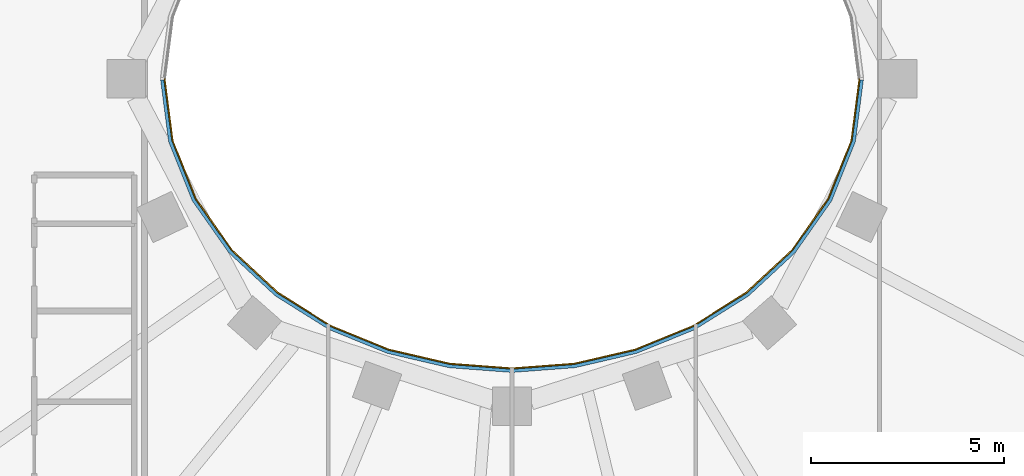
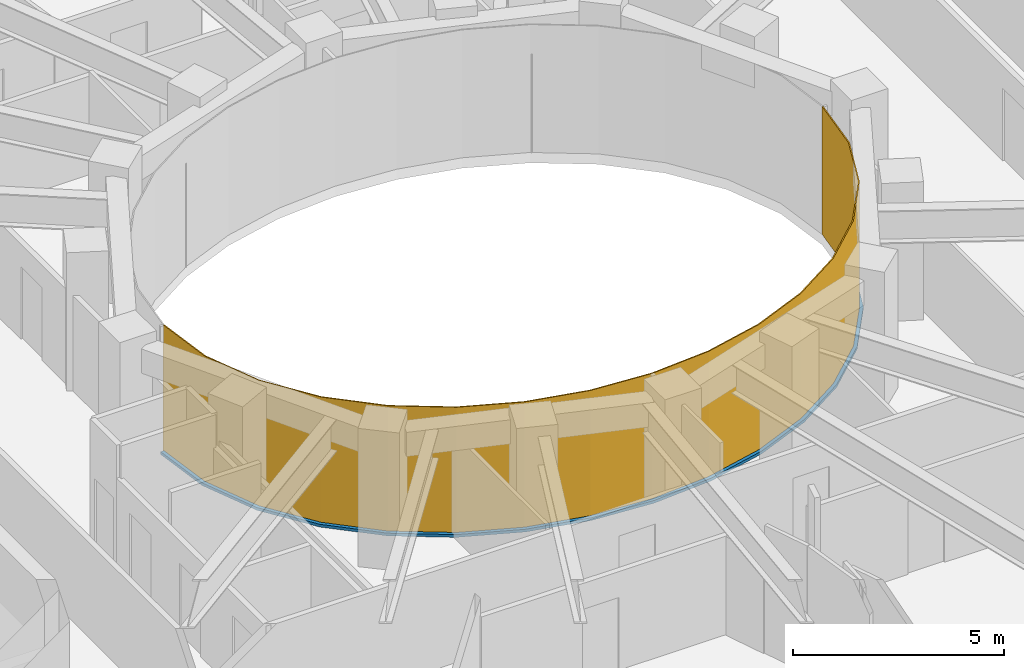
# One storey, part 10 of 16: 1 curtain wall, 1 member.
"""IFC4 building model written with IfcOpenShell, lengths in metres."""

from ifc_helpers import new_model, si_unit, direction, frame, origin, place, context, subcontext, project, spatial, polyline, outline, extrude, material, layer, layer_set, type_object, element, aggregate, save


model = new_model("IFC4")

# Units and contexts
model_context = context("Model", 3, precision=1e-05, world=origin(), true_north=direction((0.0, 1.0)))
body_context = subcontext(model_context, "Body", "Model", "MODEL_VIEW")
ifc_project = project(units=[si_unit("LENGTHUNIT", "METRE"), si_unit("AREAUNIT", "SQUARE_METRE"), si_unit("VOLUMEUNIT", "CUBIC_METRE"), si_unit("PLANEANGLEUNIT", "RADIAN"), si_unit("MASSUNIT", "GRAM", prefix="KILO")], contexts=[model_context])

# Member
ifc_material_1 = material(Name="Steel S355 fire-resisting frame", Category="steel")
member_type = type_object("IfcMemberType", Name="ENV-TRANSOM-W", PredefinedType="USERDEFINED", material=ifc_material_1)
site_placement = place(None, origin())
building_placement = place(site_placement, origin())
storey_placement = place(building_placement, frame((0.0, 0.0, 237.5)))
member_placement = place(storey_placement, origin())
member = element("IfcMember", 1, at=member_placement, type_object=member_type, Name="Transom W well 17-01", ObjectType="TRANSOM", PredefinedType="USERDEFINED", context=body_context, shape_type="SweptSolid", body=[
    extrude(outline(polyline([(-9.119384765625, -0.02783203125), (-8.910400390625, -1.63623046875), (-8.29833984375, -3.167236328125), (-7.35107421875, -4.5146484375), (-6.1455078125, -5.6337890625), (-4.75341796875, -6.50634765625), (-3.233642578125, -7.127685546875), (-1.635498046875, -7.498779296875), (0.0, -7.622314453125), (1.635498046875, -7.498779296875), (3.233642578125, -7.127685546875), (4.75341796875, -6.50634765625), (6.1455078125, -5.6337890625), (7.35107421875, -4.5146484375), (8.29833984375, -3.167236328125), (8.910400390625, -1.63623046875), (9.119384765625, -0.02783203125), (9.02880859375, -0.02783203125), (8.822509765625, -1.61328125), (8.21875, -3.124267578125), (7.282958984375, -4.455078125), (6.090576171875, -5.56201171875), (4.712158203125, -6.426025390625), (3.206298828125, -7.04150390625), (1.621826171875, -7.40966796875), (0.0, -7.531982421875), (-1.621826171875, -7.40966796875), (-3.206298828125, -7.04150390625), (-4.712158203125, -6.426025390625), (-6.090576171875, -5.56201171875), (-7.282958984375, -4.455078125), (-8.21875, -3.124267578125), (-8.822509765625, -1.61328125), (-9.02880859375, -0.02783203125), (-9.119384765625, -0.02783203125)])), origin(), (0.0, 0.0, 1.0), 0.080078125),
])

# Site, building, storey
site = spatial("IfcSite", under=ifc_project, at=site_placement, CompositionType="ELEMENT")
building = spatial("IfcBuilding", under=site, at=building_placement, Name="Noorbagh Ring Tower", CompositionType="ELEMENT")
storey = spatial("IfcBuildingStorey", under=building, at=storey_placement, Name="L49", CompositionType="ELEMENT", Elevation=237.5)

# Curtain wall
ifc_material_2 = material(Name="Glass fire-resisting E60 laminated", Category="glass")
ifc_layer = layer(ifc_material_2, 0.031982421875)
ifc_layer_set = layer_set([ifc_layer], Name="Glass fire-resisting E60 laminated")
curtain_wall_type = type_object("IfcCurtainWallType", Name="ENV-CW-W", PredefinedType="NOTDEFINED", material=ifc_layer_set)
curtain_wall_placement = place(storey_placement, origin())
curtain_wall = element("IfcCurtainWall", 2, at=curtain_wall_placement, inside=storey, type_object=curtain_wall_type, Name="Curtain wall W W17", PredefinedType="NOTDEFINED", context=body_context, shape_type="SweptSolid", body=[
    extrude(outline(polyline([(-9.0322265625, 0.0), (-8.822509765625, -1.61328125), (-8.21875, -3.124267578125), (-7.282958984375, -4.455078125), (-6.090576171875, -5.56201171875), (-4.712158203125, -6.426025390625), (-3.206298828125, -7.04150390625), (-1.621826171875, -7.40966796875), (0.0, -7.531982421875), (1.621826171875, -7.40966796875), (3.206298828125, -7.04150390625), (4.712158203125, -6.426025390625), (6.090576171875, -5.56201171875), (7.282958984375, -4.455078125), (8.21875, -3.124267578125), (8.822509765625, -1.61328125), (9.0322265625, 0.0), (9.0, 0.0), (8.79150390625, -1.605224609375), (8.1904296875, -3.10888671875), (7.2587890625, -4.43408203125), (6.071044921875, -5.53662109375), (4.697509765625, -6.3974609375), (3.196533203125, -7.010986328125), (1.6171875, -7.3779296875), (0.0, -7.5), (-1.6171875, -7.3779296875), (-3.196533203125, -7.010986328125), (-4.697509765625, -6.3974609375), (-6.071044921875, -5.53662109375), (-7.2587890625, -4.43408203125), (-8.1904296875, -3.10888671875), (-8.79150390625, -1.605224609375), (-9.0, 0.0), (-9.0322265625, 0.0)])), origin(), (0.0, 0.0, 1.0), 3.699951171875),
])

aggregate(curtain_wall, [member])

save(model, "model.ifc")
